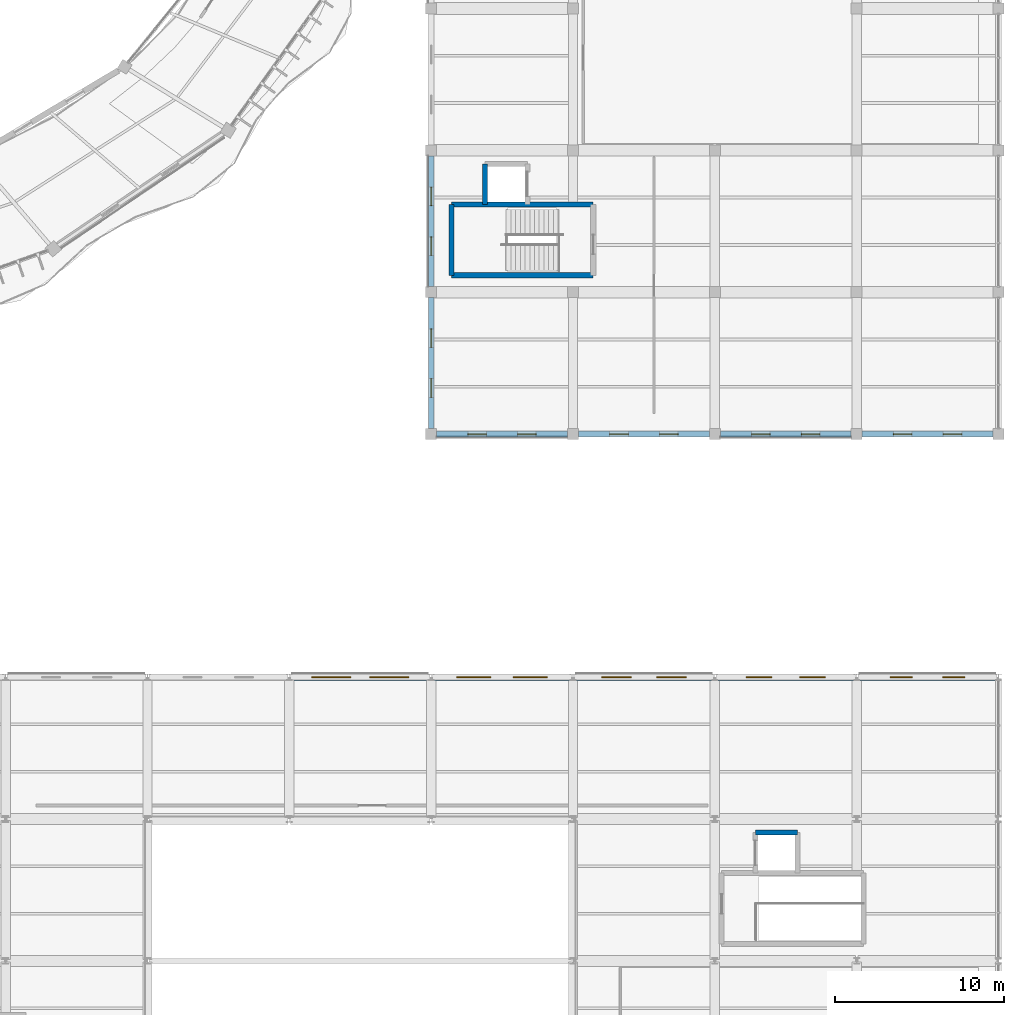
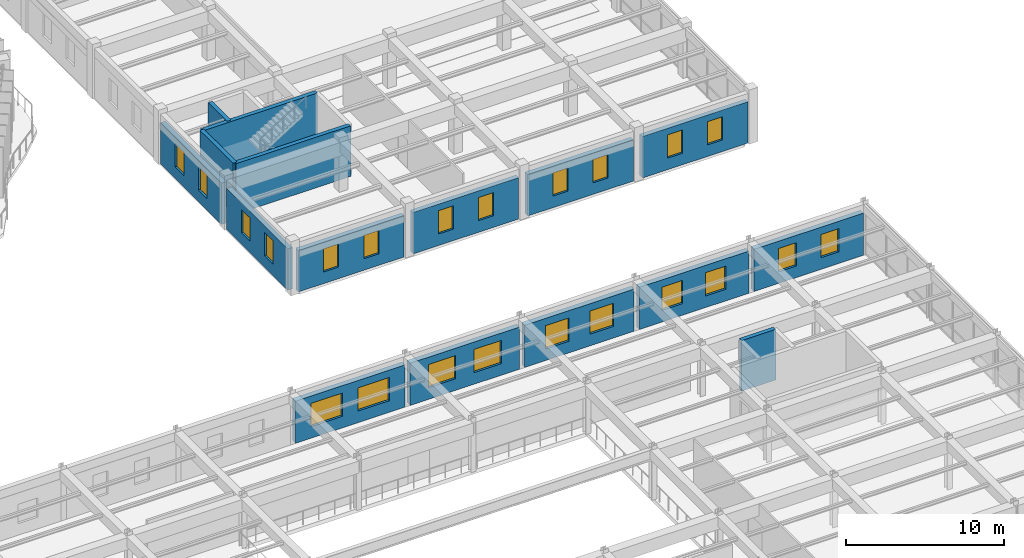
# One storey, part 118 of 138: 22 windows, 16 walls, 22 openings.
"""IFC4 building model written with IfcOpenShell, lengths in metres."""

from ifc_helpers import new_model, si_unit, direction, frame, frame_2d, origin, place, context, subcontext, project, spatial, rectangle, extrude, material, layer, layer_set, type_object, element, fill, save


model = new_model("IFC4")

# Units and contexts
model_context = context("Model", 3, precision=1e-05, world=origin(), true_north=direction((0.0, 1.0)))
body_context = subcontext(model_context, "Body", "Model", "MODEL_VIEW")
ifc_project = project(units=[si_unit("LENGTHUNIT", "METRE"), si_unit("AREAUNIT", "SQUARE_METRE"), si_unit("VOLUMEUNIT", "CUBIC_METRE"), si_unit("PLANEANGLEUNIT", "RADIAN"), si_unit("MASSUNIT", "GRAM", prefix="KILO"), si_unit("THERMODYNAMICTEMPERATUREUNIT", "KELVIN"), si_unit("POWERUNIT", "WATT")], contexts=[model_context])

# Site, building, storey
site_placement = place(None, origin())
site = spatial("IfcSite", under=ifc_project, at=site_placement, CompositionType="ELEMENT")
building_placement = place(site_placement, origin())
building = spatial("IfcBuilding", under=site, at=building_placement, Name="Darbajah Civic Hall", CompositionType="ELEMENT")
storey_placement = place(building_placement, frame((0.0, 0.0, 9.60009765625)))
storey = spatial("IfcBuildingStorey", under=building, at=storey_placement, Name="L02", CompositionType="ELEMENT", Elevation=9.60009765625)

# Walls
ifc_material_1 = material(Name="Concrete C45/55", Category="concrete")
ifc_layer_1 = layer(ifc_material_1, 0.300048828125, Name="Concrete C45/55")
ifc_layer_set_1 = layer_set([ifc_layer_1], Name="Concrete C45/55")
wall_type_1 = type_object("IfcWallType", Name="Core Shear Wall 300mm", PredefinedType="SHEAR", material=ifc_layer_set_1)
wall_1_placement = place(storey_placement, frame((166.300048828125, 32.800048828125, 0.0), z_axis=(0.0, 0.0, 1.0), x_axis=(-1.0, 0.0, 0.0)))
element("IfcWall", 1, at=wall_1_placement, inside=storey, type_object=wall_type_1, Name="L02 lift GL1 shaft wall N", PredefinedType="SHEAR", context=body_context, shape_type="SweptSolid", body=[
    extrude(rectangle(XDim=2.5, YDim=0.300048828125, at=frame_2d((1.25, 0.0))), origin(), (0.0, 0.0, 1.0), 3.919921875),
])
for number, where, z_axis, x_axis, name in (
    (2, (145.800048828125, 65.800048828125, 0.0), (0.0, 0.0, 1.0), (1.0, 0.0, 0.0), "L02 core C09 shear wall S"),
    (3, (154.199951171875, 70.0, 0.0), (0.0, 0.0, 1.0), (-1.0, 0.0, 0.0), "L02 core C09 shear wall N"),
):
    element("IfcWall", number, at=place(storey_placement, frame(where, z_axis=z_axis, x_axis=x_axis)), inside=storey, type_object=wall_type_1, Name=name, PredefinedType="SHEAR", context=body_context, shape_type="SweptSolid", body=[
        extrude(rectangle(XDim=8.39990234375, YDim=0.300048828125, at=frame_2d((4.199951171875, 0.0))), origin(), (0.0, 0.0, 1.0), 3.919921875),
    ])
wall_2_placement = place(storey_placement, frame((145.800048828125, 70.0, 0.0), z_axis=(0.0, 0.0, 1.0), x_axis=(0.0, -1.0, 0.0)))
element("IfcWall", 4, at=wall_2_placement, inside=storey, type_object=wall_type_1, Name="L02 core C09 shear wall W", PredefinedType="SHEAR", context=body_context, shape_type="SweptSolid", body=[
    extrude(rectangle(XDim=4.199951171875, YDim=0.300048828125, at=frame_2d((2.10009765625, 0.0))), origin(), (0.0, 0.0, 1.0), 3.919921875),
])
wall_3_placement = place(storey_placement, frame((147.800048828125, 72.39990234375, 0.0), z_axis=(0.0, 0.0, 1.0), x_axis=(0.0, -1.0, 0.0)))
element("IfcWall", 5, at=wall_3_placement, inside=storey, type_object=wall_type_1, Name="L02 lift BL1 shaft wall W", PredefinedType="SHEAR", context=body_context, shape_type="SweptSolid", body=[
    extrude(rectangle(XDim=2.39990234375, YDim=0.300048828125, at=frame_2d((1.199951171875, 0.0))), origin(), (0.0, 0.0, 1.0), 3.919921875),
])

# Wall, openings, windows
ifc_material_2 = material(Name="Qatari Desert Limestone Ashlar", Category="masonry")
ifc_layer_2 = layer(ifc_material_2, 0.340087890625, Name="Qatari Desert Limestone Ashlar")
ifc_layer_set_2 = layer_set([ifc_layer_2], Name="Qatari Desert Limestone Ashlar")
wall_type_2 = type_object("IfcWallType", Name="Exterior Wall 340mm", PredefinedType="SOLIDWALL", material=ifc_layer_set_2)
wall_4_placement = place(storey_placement, frame((144.927001953125, 56.39990234375, 0.0), z_axis=(0.0, 0.0, 1.0), x_axis=(1.0, 0.0, 0.0)))
wall_4 = element("IfcWall", 6, at=wall_4_placement, inside=storey, type_object=wall_type_2, Name="L02 exterior wall EW-340", PredefinedType="SOLIDWALL", context=body_context, shape_type="SweptSolid", body=[
    extrude(rectangle(XDim=7.74609375, YDim=0.340087890625, at=frame_2d((3.873046875, 0.0))), origin(), (0.0, 0.0, 1.0), 3.2099609375),
])
opening_1_placement = place(wall_4_placement, frame((1.8486328125, 0.0, 0.89990234375)))
opening_1 = element("IfcOpeningElement", 7, at=opening_1_placement, cuts=wall_4, Name="Opening WN-17", PredefinedType="OPENING", context=body_context, shape_type="SweptSolid", body=[
    extrude(rectangle(XDim=1.10009765625, YDim=1.800048828125, at=frame_2d((0.550048828125, 0.89990234375))), frame((0.0, 0.179931640625, 0.0), z_axis=(0.0, -1.0, 0.0), x_axis=(1.0, 0.0, 0.0)), (0.0, 0.0, 1.0), 0.360107421875),
])
opening_2_placement = place(wall_4_placement, frame((4.79736328125, 0.0, 0.89990234375)))
opening_2 = element("IfcOpeningElement", 8, at=opening_2_placement, cuts=wall_4, Name="Opening WN-17", PredefinedType="OPENING", context=body_context, shape_type="SweptSolid", body=[
    extrude(rectangle(XDim=1.10009765625, YDim=1.800048828125, at=frame_2d((0.550048828125, 0.89990234375))), frame((0.0, 0.179931640625, 0.0), z_axis=(0.0, -1.0, 0.0), x_axis=(1.0, 0.0, 0.0)), (0.0, 0.0, 1.0), 0.360107421875),
])
ifc_material_3 = material(Name="Low-E Solar Control Double Glazing", Category="glass")
window_type_1 = type_object("IfcWindowType", Name="Facade Window 1100x1800", PartitioningType="SINGLE_PANEL", PredefinedType="WINDOW", material=ifc_material_3)
window_1_placement = place(opening_1_placement, origin())
window_1 = element("IfcWindow", 9, at=window_1_placement, inside=storey, type_object=window_type_1, Name="L02 facade window WN-17", OverallHeight=1.800048828125, OverallWidth=1.10009765625, PartitioningType="SINGLE_PANEL", PredefinedType="WINDOW", context=body_context, shape_type="SweptSolid", body=[
    extrude(rectangle(XDim=1.10009765625, YDim=1.800048828125, at=frame_2d((0.550048828125, 0.89990234375))), frame((0.0, 0.030029296875, 0.0), z_axis=(0.0, -1.0, 0.0), x_axis=(1.0, 0.0, 0.0)), (0.0, 0.0, 1.0), 0.06005859375),
])
fill(opening_1, window_1)
window_2_placement = place(opening_2_placement, origin())
window_2 = element("IfcWindow", 10, at=window_2_placement, inside=storey, type_object=window_type_1, Name="L02 facade window WN-17", OverallHeight=1.800048828125, OverallWidth=1.10009765625, PartitioningType="SINGLE_PANEL", PredefinedType="WINDOW", context=body_context, shape_type="SweptSolid", body=[
    extrude(rectangle(XDim=1.10009765625, YDim=1.800048828125, at=frame_2d((0.550048828125, 0.89990234375))), frame((0.0, 0.030029296875, 0.0), z_axis=(0.0, -1.0, 0.0), x_axis=(1.0, 0.0, 0.0)), (0.0, 0.0, 1.0), 0.06005859375),
])
fill(opening_2, window_2)

wall_5_placement = place(storey_placement, frame((153.326904296875, 56.39990234375, 0.0), z_axis=(0.0, 0.0, 1.0), x_axis=(1.0, 0.0, 0.0)))
wall_5 = element("IfcWall", 11, at=wall_5_placement, inside=storey, type_object=wall_type_2, Name="L02 exterior wall EW-340", PredefinedType="SOLIDWALL", context=body_context, shape_type="SweptSolid", body=[
    extrude(rectangle(XDim=7.74609375, YDim=0.340087890625, at=frame_2d((3.873046875, 0.0))), origin(), (0.0, 0.0, 1.0), 3.2099609375),
])
opening_3_placement = place(wall_5_placement, frame((1.8486328125, 0.0, 0.89990234375)))
opening_3 = element("IfcOpeningElement", 12, at=opening_3_placement, cuts=wall_5, Name="Opening WN-17", PredefinedType="OPENING", context=body_context, shape_type="SweptSolid", body=[
    extrude(rectangle(XDim=1.10009765625, YDim=1.800048828125, at=frame_2d((0.550048828125, 0.89990234375))), frame((0.0, 0.179931640625, 0.0), z_axis=(0.0, -1.0, 0.0), x_axis=(1.0, 0.0, 0.0)), (0.0, 0.0, 1.0), 0.360107421875),
])
opening_4_placement = place(wall_5_placement, frame((4.79736328125, 0.0, 0.89990234375)))
opening_4 = element("IfcOpeningElement", 13, at=opening_4_placement, cuts=wall_5, Name="Opening WN-17", PredefinedType="OPENING", context=body_context, shape_type="SweptSolid", body=[
    extrude(rectangle(XDim=1.10009765625, YDim=1.800048828125, at=frame_2d((0.550048828125, 0.89990234375))), frame((0.0, 0.179931640625, 0.0), z_axis=(0.0, -1.0, 0.0), x_axis=(1.0, 0.0, 0.0)), (0.0, 0.0, 1.0), 0.360107421875),
])
window_3_placement = place(opening_3_placement, origin())
window_3 = element("IfcWindow", 14, at=window_3_placement, inside=storey, type_object=window_type_1, Name="L02 facade window WN-17", OverallHeight=1.800048828125, OverallWidth=1.10009765625, PartitioningType="SINGLE_PANEL", PredefinedType="WINDOW", context=body_context, shape_type="SweptSolid", body=[
    extrude(rectangle(XDim=1.10009765625, YDim=1.800048828125, at=frame_2d((0.550048828125, 0.89990234375))), frame((0.0, 0.030029296875, 0.0), z_axis=(0.0, -1.0, 0.0), x_axis=(1.0, 0.0, 0.0)), (0.0, 0.0, 1.0), 0.06005859375),
])
fill(opening_3, window_3)
window_4_placement = place(opening_4_placement, origin())
window_4 = element("IfcWindow", 15, at=window_4_placement, inside=storey, type_object=window_type_1, Name="L02 facade window WN-17", OverallHeight=1.800048828125, OverallWidth=1.10009765625, PartitioningType="SINGLE_PANEL", PredefinedType="WINDOW", context=body_context, shape_type="SweptSolid", body=[
    extrude(rectangle(XDim=1.10009765625, YDim=1.800048828125, at=frame_2d((0.550048828125, 0.89990234375))), frame((0.0, 0.030029296875, 0.0), z_axis=(0.0, -1.0, 0.0), x_axis=(1.0, 0.0, 0.0)), (0.0, 0.0, 1.0), 0.06005859375),
])
fill(opening_4, window_4)

wall_6_placement = place(storey_placement, frame((161.72705078125, 56.39990234375, 0.0), z_axis=(0.0, 0.0, 1.0), x_axis=(1.0, 0.0, 0.0)))
wall_6 = element("IfcWall", 16, at=wall_6_placement, inside=storey, type_object=wall_type_2, Name="L02 exterior wall EW-340", PredefinedType="SOLIDWALL", context=body_context, shape_type="SweptSolid", body=[
    extrude(rectangle(XDim=7.745849609375, YDim=0.340087890625, at=frame_2d((3.873046875, 0.0))), origin(), (0.0, 0.0, 1.0), 3.2099609375),
])
opening_5_placement = place(wall_6_placement, frame((1.8486328125, 0.0, 0.89990234375)))
opening_5 = element("IfcOpeningElement", 17, at=opening_5_placement, cuts=wall_6, Name="Opening WN-17", PredefinedType="OPENING", context=body_context, shape_type="SweptSolid", body=[
    extrude(rectangle(XDim=1.10009765625, YDim=1.800048828125, at=frame_2d((0.550048828125, 0.89990234375))), frame((0.0, 0.179931640625, 0.0), z_axis=(0.0, -1.0, 0.0), x_axis=(1.0, 0.0, 0.0)), (0.0, 0.0, 1.0), 0.360107421875),
])
opening_6_placement = place(wall_6_placement, frame((4.79736328125, 0.0, 0.89990234375)))
opening_6 = element("IfcOpeningElement", 18, at=opening_6_placement, cuts=wall_6, Name="Opening WN-17", PredefinedType="OPENING", context=body_context, shape_type="SweptSolid", body=[
    extrude(rectangle(XDim=1.10009765625, YDim=1.800048828125, at=frame_2d((0.550048828125, 0.89990234375))), frame((0.0, 0.179931640625, 0.0), z_axis=(0.0, -1.0, 0.0), x_axis=(1.0, 0.0, 0.0)), (0.0, 0.0, 1.0), 0.360107421875),
])
window_5_placement = place(opening_5_placement, origin())
window_5 = element("IfcWindow", 19, at=window_5_placement, inside=storey, type_object=window_type_1, Name="L02 facade window WN-17", OverallHeight=1.800048828125, OverallWidth=1.10009765625, PartitioningType="SINGLE_PANEL", PredefinedType="WINDOW", context=body_context, shape_type="SweptSolid", body=[
    extrude(rectangle(XDim=1.10009765625, YDim=1.800048828125, at=frame_2d((0.550048828125, 0.89990234375))), frame((0.0, 0.030029296875, 0.0), z_axis=(0.0, -1.0, 0.0), x_axis=(1.0, 0.0, 0.0)), (0.0, 0.0, 1.0), 0.06005859375),
])
fill(opening_5, window_5)
window_6_placement = place(opening_6_placement, origin())
window_6 = element("IfcWindow", 20, at=window_6_placement, inside=storey, type_object=window_type_1, Name="L02 facade window WN-17", OverallHeight=1.800048828125, OverallWidth=1.10009765625, PartitioningType="SINGLE_PANEL", PredefinedType="WINDOW", context=body_context, shape_type="SweptSolid", body=[
    extrude(rectangle(XDim=1.10009765625, YDim=1.800048828125, at=frame_2d((0.550048828125, 0.89990234375))), frame((0.0, 0.030029296875, 0.0), z_axis=(0.0, -1.0, 0.0), x_axis=(1.0, 0.0, 0.0)), (0.0, 0.0, 1.0), 0.06005859375),
])
fill(opening_6, window_6)

wall_7_placement = place(storey_placement, frame((170.126953125, 56.39990234375, 0.0), z_axis=(0.0, 0.0, 1.0), x_axis=(1.0, 0.0, 0.0)))
wall_7 = element("IfcWall", 21, at=wall_7_placement, inside=storey, type_object=wall_type_2, Name="L02 exterior wall EW-340", PredefinedType="SOLIDWALL", context=body_context, shape_type="SweptSolid", body=[
    extrude(rectangle(XDim=7.74609375, YDim=0.340087890625, at=frame_2d((3.873046875, 0.0))), origin(), (0.0, 0.0, 1.0), 3.2099609375),
])
opening_7_placement = place(wall_7_placement, frame((1.8486328125, 0.0, 0.89990234375)))
opening_7 = element("IfcOpeningElement", 22, at=opening_7_placement, cuts=wall_7, Name="Opening WN-17", PredefinedType="OPENING", context=body_context, shape_type="SweptSolid", body=[
    extrude(rectangle(XDim=1.10009765625, YDim=1.800048828125, at=frame_2d((0.550048828125, 0.89990234375))), frame((0.0, 0.179931640625, 0.0), z_axis=(0.0, -1.0, 0.0), x_axis=(1.0, 0.0, 0.0)), (0.0, 0.0, 1.0), 0.360107421875),
])
opening_8_placement = place(wall_7_placement, frame((4.79736328125, 0.0, 0.89990234375)))
opening_8 = element("IfcOpeningElement", 23, at=opening_8_placement, cuts=wall_7, Name="Opening WN-17", PredefinedType="OPENING", context=body_context, shape_type="SweptSolid", body=[
    extrude(rectangle(XDim=1.10009765625, YDim=1.800048828125, at=frame_2d((0.550048828125, 0.89990234375))), frame((0.0, 0.179931640625, 0.0), z_axis=(0.0, -1.0, 0.0), x_axis=(1.0, 0.0, 0.0)), (0.0, 0.0, 1.0), 0.360107421875),
])
window_7_placement = place(opening_7_placement, origin())
window_7 = element("IfcWindow", 24, at=window_7_placement, inside=storey, type_object=window_type_1, Name="L02 facade window WN-17", OverallHeight=1.800048828125, OverallWidth=1.10009765625, PartitioningType="SINGLE_PANEL", PredefinedType="WINDOW", context=body_context, shape_type="SweptSolid", body=[
    extrude(rectangle(XDim=1.10009765625, YDim=1.800048828125, at=frame_2d((0.550048828125, 0.89990234375))), frame((0.0, 0.030029296875, 0.0), z_axis=(0.0, -1.0, 0.0), x_axis=(1.0, 0.0, 0.0)), (0.0, 0.0, 1.0), 0.06005859375),
])
fill(opening_7, window_7)
window_8_placement = place(opening_8_placement, origin())
window_8 = element("IfcWindow", 25, at=window_8_placement, inside=storey, type_object=window_type_1, Name="L02 facade window WN-17", OverallHeight=1.800048828125, OverallWidth=1.10009765625, PartitioningType="SINGLE_PANEL", PredefinedType="WINDOW", context=body_context, shape_type="SweptSolid", body=[
    extrude(rectangle(XDim=1.10009765625, YDim=1.800048828125, at=frame_2d((0.550048828125, 0.89990234375))), frame((0.0, 0.030029296875, 0.0), z_axis=(0.0, -1.0, 0.0), x_axis=(1.0, 0.0, 0.0)), (0.0, 0.0, 1.0), 0.06005859375),
])
fill(opening_8, window_8)

wall_8_placement = place(storey_placement, frame((144.60009765625, 72.873046875, 0.0), z_axis=(0.0, 0.0, 1.0), x_axis=(0.0, -1.0, 0.0)))
wall_8 = element("IfcWall", 26, at=wall_8_placement, inside=storey, type_object=wall_type_2, Name="L02 exterior wall EW-340", PredefinedType="SOLIDWALL", context=body_context, shape_type="SweptSolid", body=[
    extrude(rectangle(XDim=7.74609375, YDim=0.340087890625, at=frame_2d((3.873046875, 0.0))), origin(), (0.0, 0.0, 1.0), 3.2099609375),
])
opening_9_placement = place(wall_8_placement, frame((1.8486328125, 0.0, 0.89990234375)))
opening_9 = element("IfcOpeningElement", 27, at=opening_9_placement, cuts=wall_8, Name="Opening WN-17", PredefinedType="OPENING", context=body_context, shape_type="SweptSolid", body=[
    extrude(rectangle(XDim=1.10009765625, YDim=1.800048828125, at=frame_2d((0.550048828125, 0.89990234375))), frame((0.0, 0.179931640625, 0.0), z_axis=(0.0, -1.0, 0.0), x_axis=(1.0, 0.0, 0.0)), (0.0, 0.0, 1.0), 0.360107421875),
])
opening_10_placement = place(wall_8_placement, frame((4.79736328125, 0.0, 0.89990234375)))
opening_10 = element("IfcOpeningElement", 28, at=opening_10_placement, cuts=wall_8, Name="Opening WN-17", PredefinedType="OPENING", context=body_context, shape_type="SweptSolid", body=[
    extrude(rectangle(XDim=1.10009765625, YDim=1.800048828125, at=frame_2d((0.550048828125, 0.89990234375))), frame((0.0, 0.179931640625, 0.0), z_axis=(0.0, -1.0, 0.0), x_axis=(1.0, 0.0, 0.0)), (0.0, 0.0, 1.0), 0.360107421875),
])
window_9_placement = place(opening_9_placement, origin())
window_9 = element("IfcWindow", 29, at=window_9_placement, inside=storey, type_object=window_type_1, Name="L02 facade window WN-17", OverallHeight=1.800048828125, OverallWidth=1.10009765625, PartitioningType="SINGLE_PANEL", PredefinedType="WINDOW", context=body_context, shape_type="SweptSolid", body=[
    extrude(rectangle(XDim=1.10009765625, YDim=1.800048828125, at=frame_2d((0.550048828125, 0.89990234375))), frame((0.0, 0.030029296875, 0.0), z_axis=(0.0, -1.0, 0.0), x_axis=(1.0, 0.0, 0.0)), (0.0, 0.0, 1.0), 0.06005859375),
])
fill(opening_9, window_9)
window_10_placement = place(opening_10_placement, origin())
window_10 = element("IfcWindow", 30, at=window_10_placement, inside=storey, type_object=window_type_1, Name="L02 facade window WN-17", OverallHeight=1.800048828125, OverallWidth=1.10009765625, PartitioningType="SINGLE_PANEL", PredefinedType="WINDOW", context=body_context, shape_type="SweptSolid", body=[
    extrude(rectangle(XDim=1.10009765625, YDim=1.800048828125, at=frame_2d((0.550048828125, 0.89990234375))), frame((0.0, 0.030029296875, 0.0), z_axis=(0.0, -1.0, 0.0), x_axis=(1.0, 0.0, 0.0)), (0.0, 0.0, 1.0), 0.06005859375),
])
fill(opening_10, window_10)

wall_9_placement = place(storey_placement, frame((144.60009765625, 64.472900390625, 0.0), z_axis=(0.0, 0.0, 1.0), x_axis=(0.0, -1.0, 0.0)))
wall_9 = element("IfcWall", 31, at=wall_9_placement, inside=storey, type_object=wall_type_2, Name="L02 exterior wall EW-340", PredefinedType="SOLIDWALL", context=body_context, shape_type="SweptSolid", body=[
    extrude(rectangle(XDim=7.745849609375, YDim=0.340087890625, at=frame_2d((3.873046875, 0.0))), origin(), (0.0, 0.0, 1.0), 3.2099609375),
])
opening_11_placement = place(wall_9_placement, frame((1.8486328125, 0.0, 0.89990234375)))
opening_11 = element("IfcOpeningElement", 32, at=opening_11_placement, cuts=wall_9, Name="Opening WN-17", PredefinedType="OPENING", context=body_context, shape_type="SweptSolid", body=[
    extrude(rectangle(XDim=1.10009765625, YDim=1.800048828125, at=frame_2d((0.550048828125, 0.89990234375))), frame((0.0, 0.179931640625, 0.0), z_axis=(0.0, -1.0, 0.0), x_axis=(1.0, 0.0, 0.0)), (0.0, 0.0, 1.0), 0.360107421875),
])
opening_12_placement = place(wall_9_placement, frame((4.79736328125, 0.0, 0.89990234375)))
opening_12 = element("IfcOpeningElement", 33, at=opening_12_placement, cuts=wall_9, Name="Opening WN-17", PredefinedType="OPENING", context=body_context, shape_type="SweptSolid", body=[
    extrude(rectangle(XDim=1.10009765625, YDim=1.800048828125, at=frame_2d((0.550048828125, 0.89990234375))), frame((0.0, 0.179931640625, 0.0), z_axis=(0.0, -1.0, 0.0), x_axis=(1.0, 0.0, 0.0)), (0.0, 0.0, 1.0), 0.360107421875),
])
window_11_placement = place(opening_11_placement, origin())
window_11 = element("IfcWindow", 34, at=window_11_placement, inside=storey, type_object=window_type_1, Name="L02 facade window WN-17", OverallHeight=1.800048828125, OverallWidth=1.10009765625, PartitioningType="SINGLE_PANEL", PredefinedType="WINDOW", context=body_context, shape_type="SweptSolid", body=[
    extrude(rectangle(XDim=1.10009765625, YDim=1.800048828125, at=frame_2d((0.550048828125, 0.89990234375))), frame((0.0, 0.030029296875, 0.0), z_axis=(0.0, -1.0, 0.0), x_axis=(1.0, 0.0, 0.0)), (0.0, 0.0, 1.0), 0.06005859375),
])
fill(opening_11, window_11)
window_12_placement = place(opening_12_placement, origin())
window_12 = element("IfcWindow", 35, at=window_12_placement, inside=storey, type_object=window_type_1, Name="L02 facade window WN-17", OverallHeight=1.800048828125, OverallWidth=1.10009765625, PartitioningType="SINGLE_PANEL", PredefinedType="WINDOW", context=body_context, shape_type="SweptSolid", body=[
    extrude(rectangle(XDim=1.10009765625, YDim=1.800048828125, at=frame_2d((0.550048828125, 0.89990234375))), frame((0.0, 0.030029296875, 0.0), z_axis=(0.0, -1.0, 0.0), x_axis=(1.0, 0.0, 0.0)), (0.0, 0.0, 1.0), 0.06005859375),
])
fill(opening_12, window_12)

ifc_material_4 = material(Name="Red Dholpur Sandstone Cladding", Category="masonry")
ifc_layer_3 = layer(ifc_material_4, 0.3798828125, Name="Red Dholpur Sandstone Cladding")
ifc_layer_set_3 = layer_set([ifc_layer_3], Name="Red Dholpur Sandstone Cladding")
wall_type_3 = type_object("IfcWallType", Name="Exterior Wall 380mm", PredefinedType="SOLIDWALL", material=ifc_layer_set_3)
wall_10_placement = place(storey_placement, frame((178.01171875, 42.0, 0.0), z_axis=(0.0, 0.0, 1.0), x_axis=(-1.0, 0.0, 0.0)))
wall_10 = element("IfcWall", 36, at=wall_10_placement, inside=storey, type_object=wall_type_3, Name="L02 exterior wall EW-380", PredefinedType="SOLIDWALL", context=body_context, shape_type="SweptSolid", body=[
    extrude(rectangle(XDim=8.0234375, YDim=0.3798828125, at=frame_2d((4.01171875, 0.0))), origin(), (0.0, 0.0, 1.0), 3.27001953125),
])
opening_13_placement = place(wall_10_placement, frame((1.807861328125, 0.0, 0.89990234375)))
opening_13 = element("IfcOpeningElement", 37, at=opening_13_placement, cuts=wall_10, Name="Opening WN-18", PredefinedType="OPENING", context=body_context, shape_type="SweptSolid", body=[
    extrude(rectangle(XDim=1.300048828125, YDim=1.800048828125, at=frame_2d((0.64990234375, 0.89990234375))), frame((0.0, 0.199951171875, 0.0), z_axis=(0.0, -1.0, 0.0), x_axis=(1.0, 0.0, 0.0)), (0.0, 0.0, 1.0), 0.39990234375),
])
opening_14_placement = place(wall_10_placement, frame((4.91552734375, 0.0, 0.89990234375)))
opening_14 = element("IfcOpeningElement", 38, at=opening_14_placement, cuts=wall_10, Name="Opening WN-18", PredefinedType="OPENING", context=body_context, shape_type="SweptSolid", body=[
    extrude(rectangle(XDim=1.300048828125, YDim=1.800048828125, at=frame_2d((0.64990234375, 0.89990234375))), frame((0.0, 0.199951171875, 0.0), z_axis=(0.0, -1.0, 0.0), x_axis=(1.0, 0.0, 0.0)), (0.0, 0.0, 1.0), 0.39990234375),
])
window_type_2 = type_object("IfcWindowType", Name="Facade Window 1300x1800", PartitioningType="SINGLE_PANEL", PredefinedType="WINDOW", material=ifc_material_3)
window_13_placement = place(opening_13_placement, origin())
window_13 = element("IfcWindow", 39, at=window_13_placement, inside=storey, type_object=window_type_2, Name="L02 facade window WN-18", OverallHeight=1.800048828125, OverallWidth=1.300048828125, PartitioningType="SINGLE_PANEL", PredefinedType="WINDOW", context=body_context, shape_type="SweptSolid", body=[
    extrude(rectangle(XDim=1.300048828125, YDim=1.800048828125, at=frame_2d((0.64990234375, 0.89990234375))), frame((0.0, 0.030029296875, 0.0), z_axis=(0.0, -1.0, 0.0), x_axis=(1.0, 0.0, 0.0)), (0.0, 0.0, 1.0), 0.06005859375),
])
fill(opening_13, window_13)
window_14_placement = place(opening_14_placement, origin())
window_14 = element("IfcWindow", 40, at=window_14_placement, inside=storey, type_object=window_type_2, Name="L02 facade window WN-18", OverallHeight=1.800048828125, OverallWidth=1.300048828125, PartitioningType="SINGLE_PANEL", PredefinedType="WINDOW", context=body_context, shape_type="SweptSolid", body=[
    extrude(rectangle(XDim=1.300048828125, YDim=1.800048828125, at=frame_2d((0.64990234375, 0.89990234375))), frame((0.0, 0.030029296875, 0.0), z_axis=(0.0, -1.0, 0.0), x_axis=(1.0, 0.0, 0.0)), (0.0, 0.0, 1.0), 0.06005859375),
])
fill(opening_14, window_14)

wall_11_placement = place(storey_placement, frame((169.61181640625, 42.0, 0.0), z_axis=(0.0, 0.0, 1.0), x_axis=(-1.0, 0.0, 0.0)))
wall_11 = element("IfcWall", 41, at=wall_11_placement, inside=storey, type_object=wall_type_3, Name="L02 exterior wall EW-380", PredefinedType="SOLIDWALL", context=body_context, shape_type="SweptSolid", body=[
    extrude(rectangle(XDim=8.0234375, YDim=0.3798828125, at=frame_2d((4.01171875, 0.0))), origin(), (0.0, 0.0, 1.0), 3.27001953125),
])
opening_15_placement = place(wall_11_placement, frame((1.674560546875, 0.0, 0.89990234375)))
opening_15 = element("IfcOpeningElement", 42, at=opening_15_placement, cuts=wall_11, Name="Opening WN-19", PredefinedType="OPENING", context=body_context, shape_type="SweptSolid", body=[
    extrude(rectangle(XDim=1.5, YDim=1.800048828125, at=frame_2d((0.75, 0.89990234375))), frame((0.0, 0.199951171875, 0.0), z_axis=(0.0, -1.0, 0.0), x_axis=(1.0, 0.0, 0.0)), (0.0, 0.0, 1.0), 0.39990234375),
])
opening_16_placement = place(wall_11_placement, frame((4.848876953125, 0.0, 0.89990234375)))
opening_16 = element("IfcOpeningElement", 43, at=opening_16_placement, cuts=wall_11, Name="Opening WN-19", PredefinedType="OPENING", context=body_context, shape_type="SweptSolid", body=[
    extrude(rectangle(XDim=1.5, YDim=1.800048828125, at=frame_2d((0.75, 0.89990234375))), frame((0.0, 0.199951171875, 0.0), z_axis=(0.0, -1.0, 0.0), x_axis=(1.0, 0.0, 0.0)), (0.0, 0.0, 1.0), 0.39990234375),
])
window_type_3 = type_object("IfcWindowType", Name="Facade Window 1500x1800", PartitioningType="SINGLE_PANEL", PredefinedType="WINDOW", material=ifc_material_3)
window_15_placement = place(opening_15_placement, origin())
window_15 = element("IfcWindow", 44, at=window_15_placement, inside=storey, type_object=window_type_3, Name="L02 facade window WN-19", OverallHeight=1.800048828125, OverallWidth=1.5, PartitioningType="SINGLE_PANEL", PredefinedType="WINDOW", context=body_context, shape_type="SweptSolid", body=[
    extrude(rectangle(XDim=1.5, YDim=1.800048828125, at=frame_2d((0.75, 0.89990234375))), frame((0.0, 0.030029296875, 0.0), z_axis=(0.0, -1.0, 0.0), x_axis=(1.0, 0.0, 0.0)), (0.0, 0.0, 1.0), 0.06005859375),
])
fill(opening_15, window_15)
window_16_placement = place(opening_16_placement, origin())
window_16 = element("IfcWindow", 45, at=window_16_placement, inside=storey, type_object=window_type_3, Name="L02 facade window WN-19", OverallHeight=1.800048828125, OverallWidth=1.5, PartitioningType="SINGLE_PANEL", PredefinedType="WINDOW", context=body_context, shape_type="SweptSolid", body=[
    extrude(rectangle(XDim=1.5, YDim=1.800048828125, at=frame_2d((0.75, 0.89990234375))), frame((0.0, 0.030029296875, 0.0), z_axis=(0.0, -1.0, 0.0), x_axis=(1.0, 0.0, 0.0)), (0.0, 0.0, 1.0), 0.06005859375),
])
fill(opening_16, window_16)

wall_12_placement = place(storey_placement, frame((161.211669921875, 42.0, 0.0), z_axis=(0.0, 0.0, 1.0), x_axis=(-1.0, 0.0, 0.0)))
wall_12 = element("IfcWall", 46, at=wall_12_placement, inside=storey, type_object=wall_type_3, Name="L02 exterior wall EW-380", PredefinedType="SOLIDWALL", context=body_context, shape_type="SweptSolid", body=[
    extrude(rectangle(XDim=8.0234375, YDim=0.3798828125, at=frame_2d((4.01171875, 0.0))), origin(), (0.0, 0.0, 1.0), 3.27001953125),
])
opening_17_placement = place(wall_12_placement, frame((1.5078125, 0.0, 0.89990234375)))
opening_17 = element("IfcOpeningElement", 47, at=opening_17_placement, cuts=wall_12, Name="Opening WN-20", PredefinedType="OPENING", context=body_context, shape_type="SweptSolid", body=[
    extrude(rectangle(XDim=1.75, YDim=1.800048828125, at=frame_2d((0.875, 0.89990234375))), frame((0.0, 0.199951171875, 0.0), z_axis=(0.0, -1.0, 0.0), x_axis=(1.0, 0.0, 0.0)), (0.0, 0.0, 1.0), 0.39990234375),
])
opening_18_placement = place(wall_12_placement, frame((4.765625, 0.0, 0.89990234375)))
opening_18 = element("IfcOpeningElement", 48, at=opening_18_placement, cuts=wall_12, Name="Opening WN-20", PredefinedType="OPENING", context=body_context, shape_type="SweptSolid", body=[
    extrude(rectangle(XDim=1.75, YDim=1.800048828125, at=frame_2d((0.875, 0.89990234375))), frame((0.0, 0.199951171875, 0.0), z_axis=(0.0, -1.0, 0.0), x_axis=(1.0, 0.0, 0.0)), (0.0, 0.0, 1.0), 0.39990234375),
])
window_type_4 = type_object("IfcWindowType", Name="Facade Window 1750x1800", PartitioningType="DOUBLE_PANEL_VERTICAL", PredefinedType="WINDOW", material=ifc_material_3)
window_17_placement = place(opening_17_placement, origin())
window_17 = element("IfcWindow", 49, at=window_17_placement, inside=storey, type_object=window_type_4, Name="L02 facade window WN-20", OverallHeight=1.800048828125, OverallWidth=1.75, PartitioningType="SINGLE_PANEL", PredefinedType="WINDOW", context=body_context, shape_type="SweptSolid", body=[
    extrude(rectangle(XDim=1.75, YDim=1.800048828125, at=frame_2d((0.875, 0.89990234375))), frame((0.0, 0.030029296875, 0.0), z_axis=(0.0, -1.0, 0.0), x_axis=(1.0, 0.0, 0.0)), (0.0, 0.0, 1.0), 0.06005859375),
])
fill(opening_17, window_17)
window_18_placement = place(opening_18_placement, origin())
window_18 = element("IfcWindow", 50, at=window_18_placement, inside=storey, type_object=window_type_4, Name="L02 facade window WN-20", OverallHeight=1.800048828125, OverallWidth=1.75, PartitioningType="SINGLE_PANEL", PredefinedType="WINDOW", context=body_context, shape_type="SweptSolid", body=[
    extrude(rectangle(XDim=1.75, YDim=1.800048828125, at=frame_2d((0.875, 0.89990234375))), frame((0.0, 0.030029296875, 0.0), z_axis=(0.0, -1.0, 0.0), x_axis=(1.0, 0.0, 0.0)), (0.0, 0.0, 1.0), 0.06005859375),
])
fill(opening_18, window_18)

wall_13_placement = place(storey_placement, frame((152.811767578125, 42.0, 0.0), z_axis=(0.0, 0.0, 1.0), x_axis=(-1.0, 0.0, 0.0)))
wall_13 = element("IfcWall", 51, at=wall_13_placement, inside=storey, type_object=wall_type_3, Name="L02 exterior wall EW-380", PredefinedType="SOLIDWALL", context=body_context, shape_type="SweptSolid", body=[
    extrude(rectangle(XDim=8.0234375, YDim=0.3798828125, at=frame_2d((4.01171875, 0.0))), origin(), (0.0, 0.0, 1.0), 3.27001953125),
])
opening_19_placement = place(wall_13_placement, frame((1.341064453125, 0.0, 0.89990234375)))
opening_19 = element("IfcOpeningElement", 52, at=opening_19_placement, cuts=wall_13, Name="Opening WN-21", PredefinedType="OPENING", context=body_context, shape_type="SweptSolid", body=[
    extrude(rectangle(XDim=2.0, YDim=1.800048828125, at=frame_2d((1.0, 0.89990234375))), frame((0.0, 0.199951171875, 0.0), z_axis=(0.0, -1.0, 0.0), x_axis=(1.0, 0.0, 0.0)), (0.0, 0.0, 1.0), 0.39990234375),
])
opening_20_placement = place(wall_13_placement, frame((4.682373046875, 0.0, 0.89990234375)))
opening_20 = element("IfcOpeningElement", 53, at=opening_20_placement, cuts=wall_13, Name="Opening WN-21", PredefinedType="OPENING", context=body_context, shape_type="SweptSolid", body=[
    extrude(rectangle(XDim=2.0, YDim=1.800048828125, at=frame_2d((1.0, 0.89990234375))), frame((0.0, 0.199951171875, 0.0), z_axis=(0.0, -1.0, 0.0), x_axis=(1.0, 0.0, 0.0)), (0.0, 0.0, 1.0), 0.39990234375),
])
window_type_5 = type_object("IfcWindowType", Name="Facade Window 2000x1800", PartitioningType="DOUBLE_PANEL_VERTICAL", PredefinedType="WINDOW", material=ifc_material_3)
window_19_placement = place(opening_19_placement, origin())
window_19 = element("IfcWindow", 54, at=window_19_placement, inside=storey, type_object=window_type_5, Name="L02 facade window WN-21", OverallHeight=1.800048828125, OverallWidth=2.0, PartitioningType="SINGLE_PANEL", PredefinedType="WINDOW", context=body_context, shape_type="SweptSolid", body=[
    extrude(rectangle(XDim=2.0, YDim=1.800048828125, at=frame_2d((1.0, 0.89990234375))), frame((0.0, 0.030029296875, 0.0), z_axis=(0.0, -1.0, 0.0), x_axis=(1.0, 0.0, 0.0)), (0.0, 0.0, 1.0), 0.06005859375),
])
fill(opening_19, window_19)
window_20_placement = place(opening_20_placement, origin())
window_20 = element("IfcWindow", 55, at=window_20_placement, inside=storey, type_object=window_type_5, Name="L02 facade window WN-21", OverallHeight=1.800048828125, OverallWidth=2.0, PartitioningType="SINGLE_PANEL", PredefinedType="WINDOW", context=body_context, shape_type="SweptSolid", body=[
    extrude(rectangle(XDim=2.0, YDim=1.800048828125, at=frame_2d((1.0, 0.89990234375))), frame((0.0, 0.030029296875, 0.0), z_axis=(0.0, -1.0, 0.0), x_axis=(1.0, 0.0, 0.0)), (0.0, 0.0, 1.0), 0.06005859375),
])
fill(opening_20, window_20)

wall_14_placement = place(storey_placement, frame((144.41162109375, 42.0, 0.0), z_axis=(0.0, 0.0, 1.0), x_axis=(-1.0, 0.0, 0.0)))
wall_14 = element("IfcWall", 56, at=wall_14_placement, inside=storey, type_object=wall_type_3, Name="L02 exterior wall EW-380", PredefinedType="SOLIDWALL", context=body_context, shape_type="SweptSolid", body=[
    extrude(rectangle(XDim=8.0234375, YDim=0.3798828125, at=frame_2d((4.01171875, 0.0))), origin(), (0.0, 0.0, 1.0), 3.27001953125),
])
opening_21_placement = place(wall_14_placement, frame((1.14111328125, 0.0, 0.89990234375)))
opening_21 = element("IfcOpeningElement", 57, at=opening_21_placement, cuts=wall_14, Name="Opening WN-22", PredefinedType="OPENING", context=body_context, shape_type="SweptSolid", body=[
    extrude(rectangle(XDim=2.300048828125, YDim=1.800048828125, at=frame_2d((1.14990234375, 0.89990234375))), frame((0.0, 0.199951171875, 0.0), z_axis=(0.0, -1.0, 0.0), x_axis=(1.0, 0.0, 0.0)), (0.0, 0.0, 1.0), 0.39990234375),
])
opening_22_placement = place(wall_14_placement, frame((4.582275390625, 0.0, 0.89990234375)))
opening_22 = element("IfcOpeningElement", 58, at=opening_22_placement, cuts=wall_14, Name="Opening WN-22", PredefinedType="OPENING", context=body_context, shape_type="SweptSolid", body=[
    extrude(rectangle(XDim=2.300048828125, YDim=1.800048828125, at=frame_2d((1.14990234375, 0.89990234375))), frame((0.0, 0.199951171875, 0.0), z_axis=(0.0, -1.0, 0.0), x_axis=(1.0, 0.0, 0.0)), (0.0, 0.0, 1.0), 0.39990234375),
])
window_type_6 = type_object("IfcWindowType", Name="Facade Window 2300x1800", PartitioningType="DOUBLE_PANEL_VERTICAL", PredefinedType="WINDOW", material=ifc_material_3)
window_21_placement = place(opening_21_placement, origin())
window_21 = element("IfcWindow", 59, at=window_21_placement, inside=storey, type_object=window_type_6, Name="L02 facade window WN-22", OverallHeight=1.800048828125, OverallWidth=2.300048828125, PartitioningType="SINGLE_PANEL", PredefinedType="WINDOW", context=body_context, shape_type="SweptSolid", body=[
    extrude(rectangle(XDim=2.300048828125, YDim=1.800048828125, at=frame_2d((1.14990234375, 0.89990234375))), frame((0.0, 0.030029296875, 0.0), z_axis=(0.0, -1.0, 0.0), x_axis=(1.0, 0.0, 0.0)), (0.0, 0.0, 1.0), 0.06005859375),
])
fill(opening_21, window_21)
window_22_placement = place(opening_22_placement, origin())
window_22 = element("IfcWindow", 60, at=window_22_placement, inside=storey, type_object=window_type_6, Name="L02 facade window WN-22", OverallHeight=1.800048828125, OverallWidth=2.300048828125, PartitioningType="SINGLE_PANEL", PredefinedType="WINDOW", context=body_context, shape_type="SweptSolid", body=[
    extrude(rectangle(XDim=2.300048828125, YDim=1.800048828125, at=frame_2d((1.14990234375, 0.89990234375))), frame((0.0, 0.030029296875, 0.0), z_axis=(0.0, -1.0, 0.0), x_axis=(1.0, 0.0, 0.0)), (0.0, 0.0, 1.0), 0.06005859375),
])
fill(opening_22, window_22)

save(model, "model.ifc")
